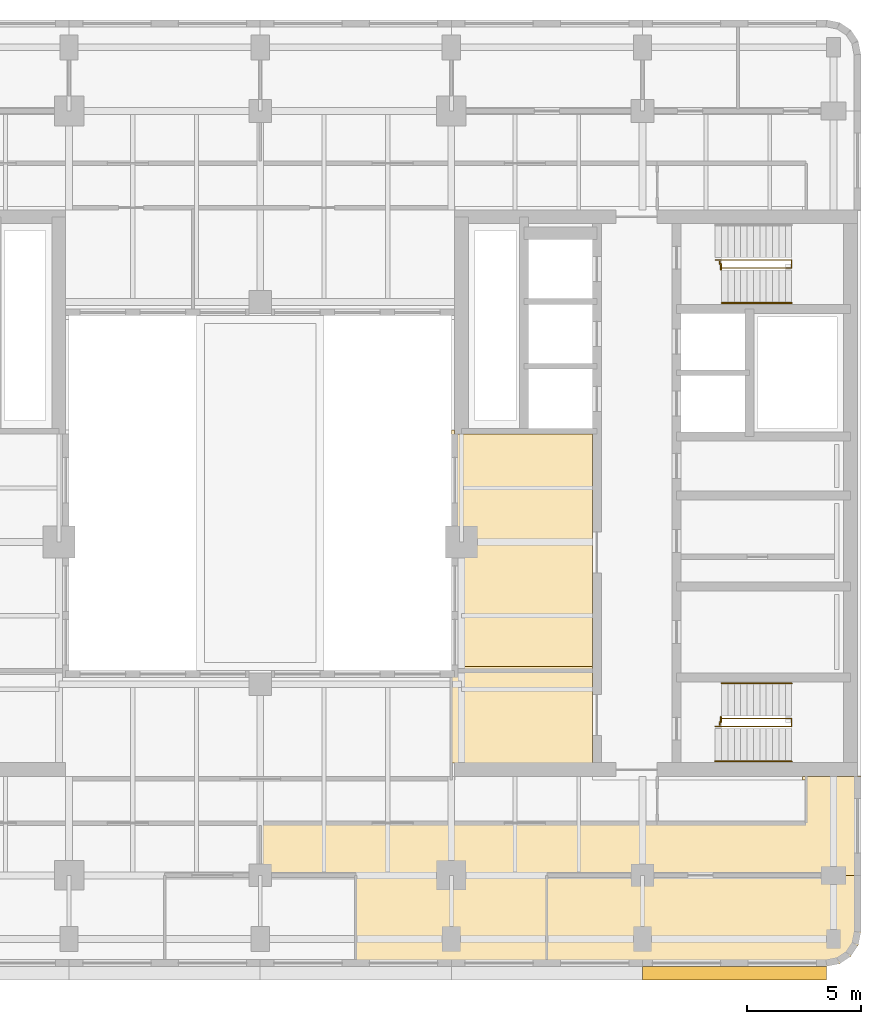
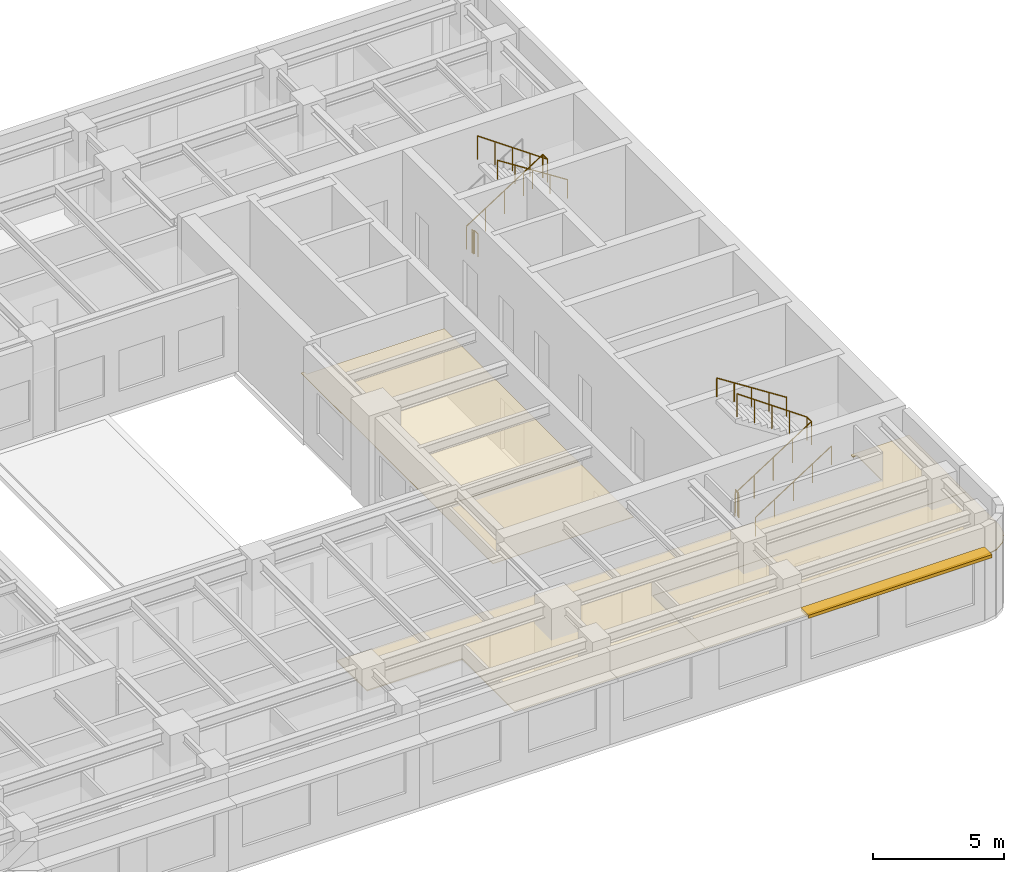
# One storey, part 10 of 11: 7 railings, 4 coverings, 1 shading device.
"""IFC4 building model written with IfcOpenShell, lengths in metres."""

from ifc_helpers import new_model, si_unit, direction, frame, origin, origin_2d, place, context, subcontext, project, spatial, polyline, rectangle, circle, outline, extrude, material, layer, layer_set, type_object, element, save


model = new_model("IFC4")

# Units and contexts
model_context = context("Model", 3, precision=1e-05, world=origin(), true_north=direction((0.0, 1.0)))
body_context = subcontext(model_context, "Body", "Model", "MODEL_VIEW")
ifc_project = project(units=[si_unit("LENGTHUNIT", "METRE"), si_unit("AREAUNIT", "SQUARE_METRE"), si_unit("VOLUMEUNIT", "CUBIC_METRE"), si_unit("PLANEANGLEUNIT", "RADIAN"), si_unit("MASSUNIT", "GRAM", prefix="KILO")], contexts=[model_context])

# Site, building, storey
site_placement = place(None, origin())
site = spatial("IfcSite", under=ifc_project, at=site_placement, CompositionType="ELEMENT")
building_placement = place(site_placement, origin())
building = spatial("IfcBuilding", under=site, at=building_placement, Name="Claustro Exchange Tower", CompositionType="ELEMENT")
storey_placement = place(building_placement, frame((0.0, 0.0, 254.699951171875)))
storey = spatial("IfcBuildingStorey", under=building, at=storey_placement, Name="L58", CompositionType="ELEMENT", Elevation=254.699951171875)

# Coverings
ifc_material_1 = material(Name="Gypsum board ceiling", Category="gypsum board")
ifc_layer_1 = layer(ifc_material_1, 0.02490234375)
ifc_layer_set_1 = layer_set([ifc_layer_1], Name="Gypsum board ceiling")
covering_type_1 = type_object("IfcCoveringType", Name="CL2 plasterboard ceiling", PredefinedType="CEILING", material=ifc_layer_set_1)
covering_1_placement = place(storey_placement, frame((0.0, 0.0, 3.0)))
element("IfcCovering", 1, at=covering_1_placement, inside=storey, type_object=covering_type_1, Name="Ceiling CL2 L58-10", PredefinedType="CEILING", context=body_context, shape_type="SweptSolid", body=[
    extrude(outline(polyline([(33.60009765625, 17.570068359375), (33.60009765625, 13.330078125), (39.800048828125, 13.330078125), (39.800048828125, 17.570068359375), (33.60009765625, 17.570068359375)])), origin(), (0.0, 0.0, 1.0), 0.025146484375),
])
covering_2_placement = place(storey_placement, frame((0.0, 0.0, 3.0)))
element("IfcCovering", 2, at=covering_2_placement, inside=storey, type_object=covering_type_1, Name="Ceiling CL2 L58-12", PredefinedType="CEILING", context=body_context, shape_type="SweptSolid", body=[
    extrude(outline(polyline([(33.60009765625, 27.969970703125), (33.60009765625, 17.22998046875), (39.800048828125, 17.22998046875), (39.800048828125, 27.800048828125), (33.75, 27.800048828125), (33.75, 27.969970703125), (33.60009765625, 27.969970703125)])), origin(), (0.0, 0.0, 1.0), 0.025146484375),
])
ifc_material_2 = material(Name="Oak slats on acoustic backing", Category="wood")
ifc_layer_2 = layer(ifc_material_2, 0.050048828125)
ifc_layer_set_2 = layer_set([ifc_layer_2], Name="Oak slats on acoustic backing")
covering_type_2 = type_object("IfcCoveringType", Name="CL3 timber slat ceiling", PredefinedType="CEILING", material=ifc_layer_set_2)
covering_3_placement = place(storey_placement, frame((0.0, 0.0, 3.0)))
element("IfcCovering", 3, at=covering_3_placement, inside=storey, type_object=covering_type_2, Name="Ceiling CL3 L58-03", PredefinedType="CEILING", context=body_context, shape_type="SweptSolid", body=[
    extrude(outline(polyline([(51.60009765625, 5.89990234375), (51.60009765625, 8.39990234375), (37.800048828125, 8.39990234375), (37.800048828125, 4.39990234375), (50.10009765625, 4.39990234375), (50.674072265625, 4.51416015625), (51.16064453125, 4.83935546875), (51.48583984375, 5.325927734375), (51.60009765625, 5.89990234375)])), origin(), (0.0, 0.0, 1.0), 0.050048828125),
])
covering_4_placement = place(storey_placement, frame((0.0, 0.0, 3.0)))
element("IfcCovering", 4, at=covering_4_placement, inside=storey, type_object=covering_type_2, Name="Ceiling CL3 L58-05", PredefinedType="CEILING", context=body_context, shape_type="SweptSolid", body=[
    extrude(outline(polyline([(51.60009765625, 8.39990234375), (51.60009765625, 12.77001953125), (51.449951171875, 12.77001953125), (51.449951171875, 12.75), (49.030029296875, 12.75), (49.030029296875, 12.60009765625), (49.199951171875, 12.60009765625), (49.199951171875, 10.699951171875), (25.199951171875, 10.699951171875), (25.199951171875, 8.39990234375), (29.39990234375, 8.39990234375), (29.39990234375, 4.39990234375), (37.800048828125, 4.39990234375), (37.800048828125, 8.39990234375), (51.60009765625, 8.39990234375)])), origin(), (0.0, 0.0, 1.0), 0.050048828125),
])

# Railings
ifc_material_3 = material(Name="Steel balustrade, painted", Category="steel")
railing_type_1 = type_object("IfcRailingType", Name="GR2 1100 steel stair guard", PredefinedType="GUARDRAIL", material=ifc_material_3)
railing_1_placement = place(storey_placement, frame((45.199951171875, 14.949951171875, 0.179931640625)))
element("IfcRailing", 5, at=railing_1_placement, inside=storey, type_object=railing_type_1, Name="Stair well guard GR2 stair STEA L58", PredefinedType="GUARDRAIL", context=body_context, shape_type="SweptSolid", body=[
    extrude(circle(Radius=0.02392578125, at=origin_2d()), frame((0.0, 0.0, 1.076171875), z_axis=(0.8411685463, 0.0, 0.540773036232), x_axis=(0.0, 1.0, 0.0)), (0.0, 0.0, 1.0), 3.99462890625),
    extrude(circle(Radius=0.02392578125, at=origin_2d()), frame((3.360107421875, 0.0, 3.236328125), z_axis=(0.0, 1.0, 0.0), x_axis=(-1.0, 0.0, 0.0)), (0.0, 0.0, 1.0), 0.35009765625),
    extrude(circle(Radius=0.02392578125, at=origin_2d()), frame((3.360107421875, 0.35009765625, 3.236328125), z_axis=(-0.8187499073, 0.0, 0.574150319426), x_axis=(0.0, -1.0, 0.0)), (0.0, 0.0, 1.0), 3.761962890625),
    extrude(circle(Radius=0.02099609375, at=origin_2d()), origin(), (0.0, 0.0, 1.0), 1.052001953125),
    extrude(circle(Radius=0.02099609375, at=origin_2d()), frame((0.840087890625, 0.0, 0.5400390625)), (0.0, 0.0, 1.0), 1.052001953125),
    extrude(circle(Radius=0.02099609375, at=origin_2d()), frame((1.68017578125, 0.0, 1.080078125)), (0.0, 0.0, 1.0), 1.052001953125),
    extrude(circle(Radius=0.02099609375, at=origin_2d()), frame((2.52001953125, 0.0, 1.6201171875)), (0.0, 0.0, 1.0), 1.052001953125),
    extrude(circle(Radius=0.02099609375, at=origin_2d()), frame((3.360107421875, 0.0, 2.16015625)), (0.0, 0.0, 1.0), 1.052001953125),
    extrude(circle(Radius=0.02099609375, at=origin_2d()), frame((3.360107421875, 0.35009765625, 2.16015625)), (0.0, 0.0, 1.0), 1.052001953125),
    extrude(circle(Radius=0.02099609375, at=origin_2d()), frame((2.590087890625, 0.35009765625, 2.7001953125)), (0.0, 0.0, 1.0), 1.052001953125),
    extrude(circle(Radius=0.02099609375, at=origin_2d()), frame((1.820068359375, 0.35009765625, 3.240234375)), (0.0, 0.0, 1.0), 1.052001953125),
    extrude(circle(Radius=0.02099609375, at=origin_2d()), frame((1.050048828125, 0.35009765625, 3.780029296875)), (0.0, 0.0, 1.0), 1.052001953125),
    extrude(circle(Radius=0.02099609375, at=origin_2d()), frame((0.280029296875, 0.35009765625, 4.320068359375)), (0.0, 0.0, 1.0), 1.052001953125),
])
railing_2_placement = place(storey_placement, frame((45.39990234375, 15.02001953125, 0.0)))
element("IfcRailing", 6, at=railing_2_placement, inside=storey, type_object=railing_type_1, Name="Stair guard GR2 STEA L58", PredefinedType="GUARDRAIL", context=body_context, shape_type="SweptSolid", body=[
    extrude(circle(Radius=0.02392578125, at=origin_2d()), frame((0.0, 0.0, 1.076171875), z_axis=(0.0, 1.0, 0.0), x_axis=(-1.0, 0.0, 0.0)), (0.0, 0.0, 1.0), 0.10498046875),
    extrude(circle(Radius=0.02392578125, at=origin_2d()), frame((0.0, 0.10498046875, 1.076171875), z_axis=(1.0, 0.0, 0.0), x_axis=(0.0, 1.0, 0.0)), (0.0, 0.0, 1.0), 0.05517578125),
    extrude(circle(Radius=0.02392578125, at=origin_2d()), frame((0.05517578125, 0.10498046875, 1.076171875), z_axis=(0.0, 1.0, 0.0), x_axis=(-1.0, 0.0, 0.0)), (0.0, 0.0, 1.0), 0.2548828125),
    extrude(circle(Radius=0.02099609375, at=origin_2d()), origin(), (0.0, 0.0, 1.0), 1.052001953125),
    extrude(circle(Radius=0.02099609375, at=origin_2d()), frame((0.0, 0.10498046875, 0.0)), (0.0, 0.0, 1.0), 1.052001953125),
    extrude(circle(Radius=0.02099609375, at=origin_2d()), frame((0.05517578125, 0.10498046875, 0.0)), (0.0, 0.0, 1.0), 1.052001953125),
    extrude(circle(Radius=0.02099609375, at=origin_2d()), frame((0.05517578125, 0.35986328125, 0.0)), (0.0, 0.0, 1.0), 1.052001953125),
])
railing_3_placement = place(storey_placement, frame((45.199951171875, 35.449951171875, 0.179931640625)))
element("IfcRailing", 7, at=railing_3_placement, inside=storey, type_object=railing_type_1, Name="Stair well guard GR2 stair STEB L58", PredefinedType="GUARDRAIL", context=body_context, shape_type="SweptSolid", body=[
    extrude(circle(Radius=0.02392578125, at=origin_2d()), frame((0.0, 0.0, 1.076171875), z_axis=(0.8411685463, 0.0, 0.540773036232), x_axis=(0.0, 1.0, 0.0)), (0.0, 0.0, 1.0), 3.99462890625),
    extrude(circle(Radius=0.02392578125, at=origin_2d()), frame((3.360107421875, 0.0, 3.236328125), z_axis=(0.0, -1.0, 0.0), x_axis=(1.0, 0.0, 0.0)), (0.0, 0.0, 1.0), 0.349853515625),
    extrude(circle(Radius=0.02392578125, at=origin_2d()), frame((3.360107421875, -0.349853515625, 3.236328125), z_axis=(-0.8187499073, 0.0, 0.574150319426), x_axis=(0.0, -1.0, 0.0)), (0.0, 0.0, 1.0), 3.761962890625),
    extrude(circle(Radius=0.02099609375, at=origin_2d()), origin(), (0.0, 0.0, 1.0), 1.052001953125),
    extrude(circle(Radius=0.02099609375, at=origin_2d()), frame((0.840087890625, 0.0, 0.5400390625)), (0.0, 0.0, 1.0), 1.052001953125),
    extrude(circle(Radius=0.02099609375, at=origin_2d()), frame((1.68017578125, 0.0, 1.080078125)), (0.0, 0.0, 1.0), 1.052001953125),
    extrude(circle(Radius=0.02099609375, at=origin_2d()), frame((2.52001953125, 0.0, 1.6201171875)), (0.0, 0.0, 1.0), 1.052001953125),
    extrude(circle(Radius=0.02099609375, at=origin_2d()), frame((3.360107421875, 0.0, 2.16015625)), (0.0, 0.0, 1.0), 1.052001953125),
    extrude(circle(Radius=0.02099609375, at=origin_2d()), frame((3.360107421875, -0.349853515625, 2.16015625)), (0.0, 0.0, 1.0), 1.052001953125),
    extrude(circle(Radius=0.02099609375, at=origin_2d()), frame((2.590087890625, -0.349853515625, 2.7001953125)), (0.0, 0.0, 1.0), 1.052001953125),
    extrude(circle(Radius=0.02099609375, at=origin_2d()), frame((1.820068359375, -0.349853515625, 3.240234375)), (0.0, 0.0, 1.0), 1.052001953125),
    extrude(circle(Radius=0.02099609375, at=origin_2d()), frame((1.050048828125, -0.349853515625, 3.780029296875)), (0.0, 0.0, 1.0), 1.052001953125),
    extrude(circle(Radius=0.02099609375, at=origin_2d()), frame((0.280029296875, -0.349853515625, 4.320068359375)), (0.0, 0.0, 1.0), 1.052001953125),
])
railing_4_placement = place(storey_placement, frame((45.39990234375, 35.3798828125, 0.0)))
element("IfcRailing", 8, at=railing_4_placement, inside=storey, type_object=railing_type_1, Name="Stair guard GR2 STEB L58", PredefinedType="GUARDRAIL", context=body_context, shape_type="SweptSolid", body=[
    extrude(circle(Radius=0.02392578125, at=origin_2d()), frame((0.0, 0.0, 1.076171875), z_axis=(0.0, -1.0, 0.0), x_axis=(1.0, 0.0, 0.0)), (0.0, 0.0, 1.0), 0.10498046875),
    extrude(circle(Radius=0.02392578125, at=origin_2d()), frame((0.0, -0.10498046875, 1.076171875), z_axis=(1.0, 0.0, 0.0), x_axis=(0.0, 1.0, 0.0)), (0.0, 0.0, 1.0), 0.05517578125),
    extrude(circle(Radius=0.02392578125, at=origin_2d()), frame((0.05517578125, -0.10498046875, 1.076171875), z_axis=(0.0, -1.0, 0.0), x_axis=(1.0, 0.0, 0.0)), (0.0, 0.0, 1.0), 0.2548828125),
    extrude(circle(Radius=0.02099609375, at=origin_2d()), origin(), (0.0, 0.0, 1.0), 1.052001953125),
    extrude(circle(Radius=0.02099609375, at=origin_2d()), frame((0.0, -0.10498046875, 0.0)), (0.0, 0.0, 1.0), 1.052001953125),
    extrude(circle(Radius=0.02099609375, at=origin_2d()), frame((0.05517578125, -0.10498046875, 0.0)), (0.0, 0.0, 1.0), 1.052001953125),
    extrude(circle(Radius=0.02099609375, at=origin_2d()), frame((0.05517578125, -0.35986328125, 0.0)), (0.0, 0.0, 1.0), 1.052001953125),
])
ifc_material_4 = material(Name="Stainless steel tube", Category="steel")
railing_type_2 = type_object("IfcRailingType", Name="HR1 900 stair handrail", PredefinedType="HANDRAIL", material=ifc_material_4)
railing_5_placement = place(storey_placement, frame((45.199951171875, 13.409912109375, 0.179931640625)))
element("IfcRailing", 9, at=railing_5_placement, inside=storey, type_object=railing_type_2, Name="Handrail HR1 stair STEA L58", PredefinedType="HANDRAIL", context=body_context, shape_type="SweptSolid", body=[
    extrude(circle(Radius=0.02392578125, at=origin_2d()), frame((0.0, 0.0, 0.8759765625), z_axis=(0.8411685463, 0.0, 0.540773036232), x_axis=(0.0, 1.0, 0.0)), (0.0, 0.0, 1.0), 3.99462890625),
    extrude(circle(Radius=0.02099609375, at=origin_2d()), origin(), (0.0, 0.0, 1.0), 0.851806640625),
    extrude(circle(Radius=0.02099609375, at=origin_2d()), frame((0.840087890625, 0.0, 0.5400390625)), (0.0, 0.0, 1.0), 0.851806640625),
    extrude(circle(Radius=0.02099609375, at=origin_2d()), frame((1.68017578125, 0.0, 1.080078125)), (0.0, 0.0, 1.0), 0.851806640625),
    extrude(circle(Radius=0.02099609375, at=origin_2d()), frame((2.52001953125, 0.0, 1.6201171875)), (0.0, 0.0, 1.0), 0.851806640625),
    extrude(circle(Radius=0.02099609375, at=origin_2d()), frame((3.360107421875, 0.0, 2.16015625)), (0.0, 0.0, 1.0), 0.851806640625),
])
for number, where, name in (
    (10, (48.56005859375, 16.840087890625, 2.52001953125), "Handrail HR1 stair STEA L58"),
    (11, (48.56005859375, 33.56005859375, 2.52001953125), "Handrail HR1 stair STEB L58"),
):
    element("IfcRailing", number, at=place(storey_placement, frame(where)), inside=storey, type_object=railing_type_2, Name=name, PredefinedType="HANDRAIL", context=body_context, shape_type="SweptSolid", body=[
        extrude(circle(Radius=0.02392578125, at=origin_2d()), frame((0.0, 0.0, 0.8759765625), z_axis=(-0.84118714077, 0.0, 0.540744111576), x_axis=(0.0, -1.0, 0.0)), (0.0, 0.0, 1.0), 3.66162109375),
        extrude(circle(Radius=0.02099609375, at=origin_2d()), origin(), (0.0, 0.0, 1.0), 0.851806640625),
        extrude(circle(Radius=0.02099609375, at=origin_2d()), frame((-0.77001953125, 0.0, 0.4951171875)), (0.0, 0.0, 1.0), 0.851806640625),
        extrude(circle(Radius=0.02099609375, at=origin_2d()), frame((-1.5400390625, 0.0, 0.989990234375)), (0.0, 0.0, 1.0), 0.851806640625),
        extrude(circle(Radius=0.02099609375, at=origin_2d()), frame((-2.31005859375, 0.0, 1.48486328125)), (0.0, 0.0, 1.0), 0.851806640625),
        extrude(circle(Radius=0.02099609375, at=origin_2d()), frame((-3.080078125, 0.0, 1.97998046875)), (0.0, 0.0, 1.0), 0.851806640625),
    ])

# Shading device
ifc_material_5 = material(Name="Concrete HA-40 (C40/50), precast, white cement, acid-etched", Category="concrete")
ifc_layer_3 = layer(ifc_material_5, 0.14990234375)
ifc_layer_set_3 = layer_set([ifc_layer_3], Name="Concrete HA-40 (C40/50), precast, white cement, acid-etched")
shading_device_type = type_object("IfcShadingDeviceType", Name="SS1 600 precast concrete SUNSHADE", PredefinedType="SHUTTER", material=ifc_layer_set_3)
shading_device_placement = place(storey_placement, frame((46.04248046875, 4.10009765625, 3.300048828125), z_axis=(0.0, 0.0, 1.0), x_axis=(-1.0, 0.0, 0.0)))
element("IfcShadingDevice", 12, at=shading_device_placement, inside=storey, type_object=shading_device_type, Name="Precast SUNSHADE SS1 L58", PredefinedType="SHUTTER", context=body_context, shape_type="SweptSolid", body=[
    extrude(rectangle(XDim=8.085205078125, YDim=0.60009765625, at=origin_2d()), origin(), (0.0, 0.0, 1.0), 0.14990234375),
])

save(model, "model.ifc")
